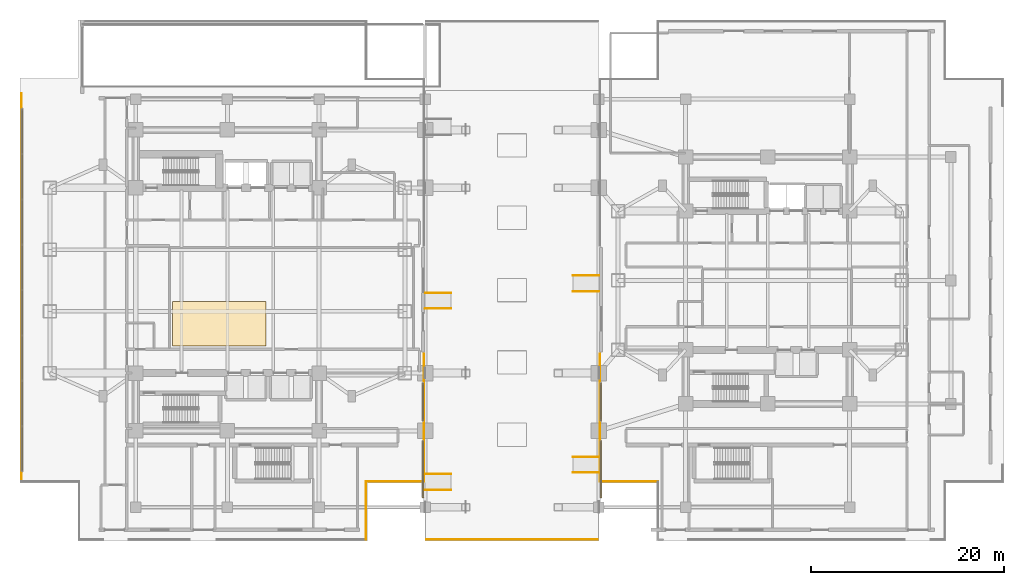
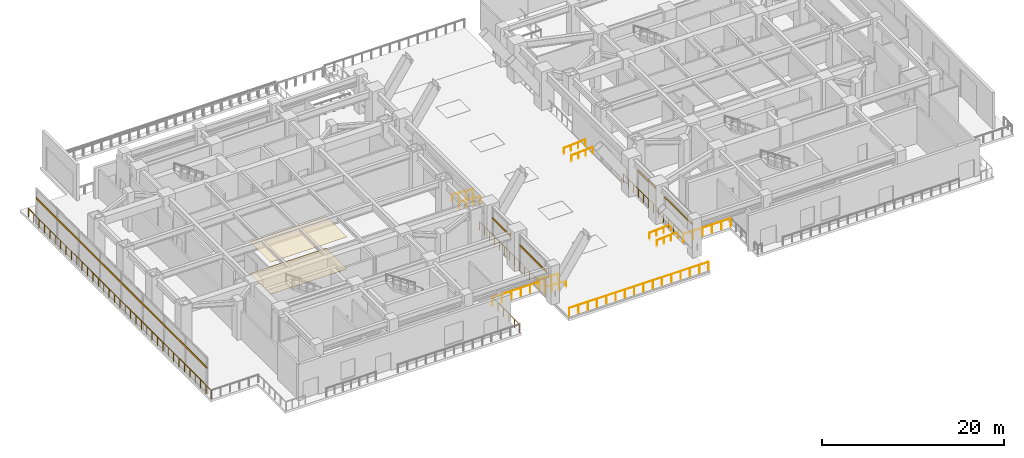
# One storey, part 19 of 27: 15 railings, 5 shading devices, 2 coverings.
"""IFC4 building model written with IfcOpenShell, lengths in metres."""

from ifc_helpers import new_model, si_unit, direction, frame, origin, origin_2d, place, context, subcontext, project, spatial, polyline, rectangle, circle, outline, extrude, material, layer, layer_set, material_profile, profile_set, type_object, element, save


model = new_model("IFC4")

# Units and contexts
model_context = context("Model", 3, precision=1e-05, world=origin(), true_north=direction((0.0, 1.0)))
body_context = subcontext(model_context, "Body", "Model", "MODEL_VIEW")
ifc_project = project(units=[si_unit("LENGTHUNIT", "METRE"), si_unit("AREAUNIT", "SQUARE_METRE"), si_unit("VOLUMEUNIT", "CUBIC_METRE"), si_unit("PLANEANGLEUNIT", "RADIAN"), si_unit("MASSUNIT", "GRAM", prefix="KILO")], contexts=[model_context])

# Site, building, storey
site_placement = place(None, origin())
site = spatial("IfcSite", under=ifc_project, at=site_placement, CompositionType="ELEMENT")
building_placement = place(site_placement, origin())
building = spatial("IfcBuilding", under=site, at=building_placement, Name="Mirazonda Arch Towers", CompositionType="ELEMENT")
storey_placement = place(building_placement, origin())
storey = spatial("IfcBuildingStorey", under=building, at=storey_placement, Name="L00", CompositionType="ELEMENT", Elevation=0.0)

# Shading devices
ifc_material_1 = material(Name="Kiln-Fired Architectural Terracotta", Category="masonry")
ifc_material_profile = material_profile(ifc_material_1, rectangle(XDim=0.1201171875, YDim=0.239990234375, at=origin_2d()), Name="TERRA-BAG-120x240")
ifc_profile_set = profile_set([ifc_material_profile], Name="Kiln-Fired Architectural Terracotta")
shading_device_type = type_object("IfcShadingDeviceType", Name="BAGUETTE-1", PredefinedType="USERDEFINED", material=ifc_profile_set)
shading_device_1_placement = place(storey_placement, frame((-0.780029296875, 8.199951171875, 3.499267578125), z_axis=(0.0, 1.0, 0.0), x_axis=(-1.0, 0.0, 0.0)))
element("IfcShadingDevice", 1, at=shading_device_1_placement, inside=storey, type_object=shading_device_type, Name="L00 Glazed Terracotta Sun-Screen Baguette CW-L00-WW1", ObjectType="BAGUETTE", PredefinedType="USERDEFINED", context=body_context, shape_type="SweptSolid", body=[
    extrude(rectangle(XDim=0.1201171875, YDim=0.239990234375, at=origin_2d()), origin(), (0.0, 0.0, 1.0), 37.60009765625),
])
shading_device_2_placement = place(storey_placement, frame((40.780029296875, 17.360107421875, 3.499267578125), z_axis=(0.0, -1.0, 0.0), x_axis=(1.0, 0.0, 0.0)))
element("IfcShadingDevice", 2, at=shading_device_2_placement, inside=storey, type_object=shading_device_type, Name="L00 Glazed Terracotta Sun-Screen Baguette CW-L00-ARCH-WS-S1", ObjectType="BAGUETTE", PredefinedType="USERDEFINED", context=body_context, shape_type="SweptSolid", body=[
    extrude(rectangle(XDim=0.1201171875, YDim=0.239990234375, at=origin_2d()), origin(), (0.0, 0.0, 1.0), 3.920166015625),
])
for number, where, z_axis, x_axis, name in (
    (3, (40.780029296875, 11.360107421875, 3.499267578125), (0.0, -1.0, 0.0), (1.0, 0.0, 0.0), "L00 Glazed Terracotta Sun-Screen Baguette CW-L00-ARCH-WS-S2"),
    (4, (59.219970703125, 5.5, 3.499267578125), (0.0, 1.0, 0.0), (-1.0, 0.0, 0.0), "L00 Glazed Terracotta Sun-Screen Baguette CW-L00-ARCH-ES-S1"),
):
    element("IfcShadingDevice", number, at=place(storey_placement, frame(where, z_axis=z_axis, x_axis=x_axis)), inside=storey, type_object=shading_device_type, Name=name, ObjectType="BAGUETTE", PredefinedType="USERDEFINED", context=body_context, shape_type="SweptSolid", body=[
        extrude(rectangle(XDim=0.1201171875, YDim=0.239990234375, at=origin_2d()), origin(), (0.0, 0.0, 1.0), 5.860107421875),
    ])
shading_device_3_placement = place(storey_placement, frame((59.219970703125, 13.43994140625, 3.499267578125), z_axis=(0.0, 1.0, 0.0), x_axis=(-1.0, 0.0, 0.0)))
element("IfcShadingDevice", 5, at=shading_device_3_placement, inside=storey, type_object=shading_device_type, Name="L00 Glazed Terracotta Sun-Screen Baguette CW-L00-ARCH-ES-S2", ObjectType="BAGUETTE", PredefinedType="USERDEFINED", context=body_context, shape_type="SweptSolid", body=[
    extrude(rectangle(XDim=0.1201171875, YDim=0.239990234375, at=origin_2d()), origin(), (0.0, 0.0, 1.0), 3.920166015625),
])

# Coverings
ifc_material_2 = material(Name="Acoustic Mineral Fibre Ceiling")
ifc_layer_1 = layer(ifc_material_2, 0.02490234375, Name="COV-CEIL-ACOUSTIC")
ifc_layer_set_1 = layer_set([ifc_layer_1], Name="Acoustic Mineral Fibre Ceiling")
covering_type_1 = type_object("IfcCoveringType", Name="COV-CEIL-ACOUSTIC", PredefinedType="CEILING", material=ifc_layer_set_1)
covering_1_placement = place(storey_placement, frame((0.0, 0.0, 4.304931640625)))
element("IfcCovering", 6, at=covering_1_placement, inside=storey, type_object=covering_type_1, Name="L00 Suspended Acoustic Ceiling", PredefinedType="CEILING", context=body_context, shape_type="SweptSolid", body=[
    extrude(outline(polyline([(14.800048828125, 21.199951171875), (24.5, 21.199951171875), (24.5, 25.800048828125), (14.800048828125, 25.800048828125), (14.800048828125, 21.199951171875)])), origin(), (0.0, 0.0, 1.0), 0.025146484375),
])
ifc_material_3 = material(Name="Polished Terrazzo Stone Finish", Category="masonry")
ifc_layer_2 = layer(ifc_material_3, 0.030029296875, Name="COV-FLOOR-STONE")
ifc_layer_set_2 = layer_set([ifc_layer_2], Name="Polished Terrazzo Stone Finish")
covering_type_2 = type_object("IfcCoveringType", Name="COV-FLOOR-STONE", PredefinedType="FLOORING", material=ifc_layer_set_2)
covering_2_placement = place(storey_placement, origin())
element("IfcCovering", 7, at=covering_2_placement, inside=storey, type_object=covering_type_2, Name="L00 Polished Terrazzo Lobby Flooring", PredefinedType="FLOORING", context=body_context, shape_type="SweptSolid", body=[
    extrude(outline(polyline([(14.800048828125, 21.199951171875), (24.5, 21.199951171875), (24.5, 25.800048828125), (14.800048828125, 25.800048828125), (14.800048828125, 21.199951171875)])), origin(), (0.0, 0.0, 1.0), 0.030029296875),
])

# Railings
ifc_material_4 = material(Name="Architectural Brushed Steel S355", Category="steel")
railing_type_1 = type_object("IfcRailingType", Name="GUARD-EXT-1150", PredefinedType="GUARDRAIL", material=ifc_material_4)
railing_1_placement = place(storey_placement, frame((34.860107421875, 1.139892578125, 0.0)))
element("IfcRailing", 8, at=railing_1_placement, inside=storey, type_object=railing_type_1, Name="L00 L00 Podium Edge Guard 3 02", PredefinedType="GUARDRAIL", context=body_context, shape_type="SweptSolid", body=[
    extrude(circle(Radius=0.02392578125, at=origin_2d()), frame((0.0, 0.0, 1.1259765625), z_axis=(0.0, 1.0, 0.0), x_axis=(-1.0, 0.0, 0.0)), (0.0, 0.0, 1.0), 6.0),
    extrude(circle(Radius=0.02099609375, at=origin_2d()), origin(), (0.0, 0.0, 1.0), 1.101806640625),
    extrude(circle(Radius=0.02099609375, at=origin_2d()), frame((0.0, 1.199951171875, 0.0)), (0.0, 0.0, 1.0), 1.101806640625),
    extrude(circle(Radius=0.02099609375, at=origin_2d()), frame((0.0, 2.39990234375, 0.0)), (0.0, 0.0, 1.0), 1.101806640625),
    extrude(circle(Radius=0.02099609375, at=origin_2d()), frame((0.0, 3.60009765625, 0.0)), (0.0, 0.0, 1.0), 1.101806640625),
    extrude(circle(Radius=0.02099609375, at=origin_2d()), frame((0.0, 4.800048828125, 0.0)), (0.0, 0.0, 1.0), 1.101806640625),
    extrude(circle(Radius=0.02099609375, at=origin_2d()), frame((0.0, 6.0, 0.0)), (0.0, 0.0, 1.0), 1.101806640625),
])
railing_2_placement = place(storey_placement, frame((34.860107421875, 7.139892578125, 0.0)))
element("IfcRailing", 9, at=railing_2_placement, inside=storey, type_object=railing_type_1, Name="L00 L00 Podium Edge Guard 3 03", PredefinedType="GUARDRAIL", context=body_context, shape_type="SweptSolid", body=[
    extrude(circle(Radius=0.02392578125, at=origin_2d()), frame((0.0, 0.0, 1.1259765625), z_axis=(1.0, 0.0, 0.0), x_axis=(0.0, 1.0, 0.0)), (0.0, 0.0, 1.0), 6.0),
    extrude(circle(Radius=0.02099609375, at=origin_2d()), origin(), (0.0, 0.0, 1.0), 1.101806640625),
    extrude(circle(Radius=0.02099609375, at=origin_2d()), frame((1.199951171875, 0.0, 0.0)), (0.0, 0.0, 1.0), 1.101806640625),
    extrude(circle(Radius=0.02099609375, at=origin_2d()), frame((2.39990234375, 0.0, 0.0)), (0.0, 0.0, 1.0), 1.101806640625),
    extrude(circle(Radius=0.02099609375, at=origin_2d()), frame((3.60009765625, 0.0, 0.0)), (0.0, 0.0, 1.0), 1.101806640625),
    extrude(circle(Radius=0.02099609375, at=origin_2d()), frame((4.800048828125, 0.0, 0.0)), (0.0, 0.0, 1.0), 1.101806640625),
    extrude(circle(Radius=0.02099609375, at=origin_2d()), frame((6.0, 0.0, 0.0)), (0.0, 0.0, 1.0), 1.101806640625),
])
railing_3_placement = place(storey_placement, frame((40.860107421875, 7.139892578125, 0.0)))
element("IfcRailing", 10, at=railing_3_placement, inside=storey, type_object=railing_type_1, Name="L00 L00 Podium Edge Guard 3 04", PredefinedType="GUARDRAIL", context=body_context, shape_type="SweptSolid", body=[
    extrude(circle(Radius=0.02392578125, at=origin_2d()), frame((0.0, 0.0, 1.1259765625), z_axis=(0.0, 1.0, 0.0), x_axis=(-1.0, 0.0, 0.0)), (0.0, 0.0, 1.0), 13.260009765625),
    extrude(circle(Radius=0.02099609375, at=origin_2d()), origin(), (0.0, 0.0, 1.0), 1.101806640625),
    extrude(circle(Radius=0.02099609375, at=origin_2d()), frame((0.0, 1.10498046875, 0.0)), (0.0, 0.0, 1.0), 1.101806640625),
    extrude(circle(Radius=0.02099609375, at=origin_2d()), frame((0.0, 2.2099609375, 0.0)), (0.0, 0.0, 1.0), 1.101806640625),
    extrude(circle(Radius=0.02099609375, at=origin_2d()), frame((0.0, 3.31494140625, 0.0)), (0.0, 0.0, 1.0), 1.101806640625),
    extrude(circle(Radius=0.02099609375, at=origin_2d()), frame((0.0, 4.419921875, 0.0)), (0.0, 0.0, 1.0), 1.101806640625),
    extrude(circle(Radius=0.02099609375, at=origin_2d()), frame((0.0, 5.52490234375, 0.0)), (0.0, 0.0, 1.0), 1.101806640625),
    extrude(circle(Radius=0.02099609375, at=origin_2d()), frame((0.0, 6.6298828125, 0.0)), (0.0, 0.0, 1.0), 1.101806640625),
    extrude(circle(Radius=0.02099609375, at=origin_2d()), frame((0.0, 7.735107421875, 0.0)), (0.0, 0.0, 1.0), 1.101806640625),
    extrude(circle(Radius=0.02099609375, at=origin_2d()), frame((0.0, 8.840087890625, 0.0)), (0.0, 0.0, 1.0), 1.101806640625),
    extrude(circle(Radius=0.02099609375, at=origin_2d()), frame((0.0, 9.945068359375, 0.0)), (0.0, 0.0, 1.0), 1.101806640625),
    extrude(circle(Radius=0.02099609375, at=origin_2d()), frame((0.0, 11.050048828125, 0.0)), (0.0, 0.0, 1.0), 1.101806640625),
    extrude(circle(Radius=0.02099609375, at=origin_2d()), frame((0.0, 12.155029296875, 0.0)), (0.0, 0.0, 1.0), 1.101806640625),
    extrude(circle(Radius=0.02099609375, at=origin_2d()), frame((0.0, 13.260009765625, 0.0)), (0.0, 0.0, 1.0), 1.101806640625),
])
railing_4_placement = place(storey_placement, frame((-0.860107421875, 7.139892578125, 0.0)))
element("IfcRailing", 11, at=railing_4_placement, inside=storey, type_object=railing_type_1, Name="L00 L00 Podium Edge Guard 5 03", PredefinedType="GUARDRAIL", context=body_context, shape_type="SweptSolid", body=[
    extrude(circle(Radius=0.02392578125, at=origin_2d()), frame((0.0, 0.0, 1.1259765625), z_axis=(0.0, 1.0, 0.0), x_axis=(-1.0, 0.0, 0.0)), (0.0, 0.0, 1.0), 40.260009765625),
    extrude(circle(Radius=0.02099609375, at=origin_2d()), origin(), (0.0, 0.0, 1.0), 1.101806640625),
    extrude(circle(Radius=0.02099609375, at=origin_2d()), frame((0.0, 1.18408203125, 0.0)), (0.0, 0.0, 1.0), 1.101806640625),
    extrude(circle(Radius=0.02099609375, at=origin_2d()), frame((0.0, 2.3681640625, 0.0)), (0.0, 0.0, 1.0), 1.101806640625),
    extrude(circle(Radius=0.02099609375, at=origin_2d()), frame((0.0, 3.55224609375, 0.0)), (0.0, 0.0, 1.0), 1.101806640625),
    extrude(circle(Radius=0.02099609375, at=origin_2d()), frame((0.0, 4.736572265625, 0.0)), (0.0, 0.0, 1.0), 1.101806640625),
    extrude(circle(Radius=0.02099609375, at=origin_2d()), frame((0.0, 5.920654296875, 0.0)), (0.0, 0.0, 1.0), 1.101806640625),
    extrude(circle(Radius=0.02099609375, at=origin_2d()), frame((0.0, 7.104736328125, 0.0)), (0.0, 0.0, 1.0), 1.101806640625),
    extrude(circle(Radius=0.02099609375, at=origin_2d()), frame((0.0, 8.288818359375, 0.0)), (0.0, 0.0, 1.0), 1.101806640625),
    extrude(circle(Radius=0.02099609375, at=origin_2d()), frame((0.0, 9.472900390625, 0.0)), (0.0, 0.0, 1.0), 1.101806640625),
    extrude(circle(Radius=0.02099609375, at=origin_2d()), frame((0.0, 10.656982421875, 0.0)), (0.0, 0.0, 1.0), 1.101806640625),
    extrude(circle(Radius=0.02099609375, at=origin_2d()), frame((0.0, 11.841064453125, 0.0)), (0.0, 0.0, 1.0), 1.101806640625),
    extrude(circle(Radius=0.02099609375, at=origin_2d()), frame((0.0, 13.025390625, 0.0)), (0.0, 0.0, 1.0), 1.101806640625),
    extrude(circle(Radius=0.02099609375, at=origin_2d()), frame((0.0, 14.20947265625, 0.0)), (0.0, 0.0, 1.0), 1.101806640625),
    extrude(circle(Radius=0.02099609375, at=origin_2d()), frame((0.0, 15.3935546875, 0.0)), (0.0, 0.0, 1.0), 1.101806640625),
    extrude(circle(Radius=0.02099609375, at=origin_2d()), frame((0.0, 16.57763671875, 0.0)), (0.0, 0.0, 1.0), 1.101806640625),
    extrude(circle(Radius=0.02099609375, at=origin_2d()), frame((0.0, 17.76171875, 0.0)), (0.0, 0.0, 1.0), 1.101806640625),
    extrude(circle(Radius=0.02099609375, at=origin_2d()), frame((0.0, 18.94580078125, 0.0)), (0.0, 0.0, 1.0), 1.101806640625),
    extrude(circle(Radius=0.02099609375, at=origin_2d()), frame((0.0, 20.1298828125, 0.0)), (0.0, 0.0, 1.0), 1.101806640625),
    extrude(circle(Radius=0.02099609375, at=origin_2d()), frame((0.0, 21.314208984375, 0.0)), (0.0, 0.0, 1.0), 1.101806640625),
    extrude(circle(Radius=0.02099609375, at=origin_2d()), frame((0.0, 22.498291015625, 0.0)), (0.0, 0.0, 1.0), 1.101806640625),
    extrude(circle(Radius=0.02099609375, at=origin_2d()), frame((0.0, 23.682373046875, 0.0)), (0.0, 0.0, 1.0), 1.101806640625),
    extrude(circle(Radius=0.02099609375, at=origin_2d()), frame((0.0, 24.866455078125, 0.0)), (0.0, 0.0, 1.0), 1.101806640625),
    extrude(circle(Radius=0.02099609375, at=origin_2d()), frame((0.0, 26.050537109375, 0.0)), (0.0, 0.0, 1.0), 1.101806640625),
    extrude(circle(Radius=0.02099609375, at=origin_2d()), frame((0.0, 27.234619140625, 0.0)), (0.0, 0.0, 1.0), 1.101806640625),
    extrude(circle(Radius=0.02099609375, at=origin_2d()), frame((0.0, 28.4189453125, 0.0)), (0.0, 0.0, 1.0), 1.101806640625),
    extrude(circle(Radius=0.02099609375, at=origin_2d()), frame((0.0, 29.60302734375, 0.0)), (0.0, 0.0, 1.0), 1.101806640625),
    extrude(circle(Radius=0.02099609375, at=origin_2d()), frame((0.0, 30.787109375, 0.0)), (0.0, 0.0, 1.0), 1.101806640625),
    extrude(circle(Radius=0.02099609375, at=origin_2d()), frame((0.0, 31.97119140625, 0.0)), (0.0, 0.0, 1.0), 1.101806640625),
    extrude(circle(Radius=0.02099609375, at=origin_2d()), frame((0.0, 33.1552734375, 0.0)), (0.0, 0.0, 1.0), 1.101806640625),
    extrude(circle(Radius=0.02099609375, at=origin_2d()), frame((0.0, 34.33935546875, 0.0)), (0.0, 0.0, 1.0), 1.101806640625),
    extrude(circle(Radius=0.02099609375, at=origin_2d()), frame((0.0, 35.5234375, 0.0)), (0.0, 0.0, 1.0), 1.101806640625),
    extrude(circle(Radius=0.02099609375, at=origin_2d()), frame((0.0, 36.707763671875, 0.0)), (0.0, 0.0, 1.0), 1.101806640625),
    extrude(circle(Radius=0.02099609375, at=origin_2d()), frame((0.0, 37.891845703125, 0.0)), (0.0, 0.0, 1.0), 1.101806640625),
    extrude(circle(Radius=0.02099609375, at=origin_2d()), frame((0.0, 39.075927734375, 0.0)), (0.0, 0.0, 1.0), 1.101806640625),
    extrude(circle(Radius=0.02099609375, at=origin_2d()), frame((0.0, 40.260009765625, 0.0)), (0.0, 0.0, 1.0), 1.101806640625),
])
railing_5_placement = place(storey_placement, frame((59.139892578125, 20.39990234375, 0.0)))
element("IfcRailing", 12, at=railing_5_placement, inside=storey, type_object=railing_type_1, Name="L00 L00 Podium Edge Guard 6 01", PredefinedType="GUARDRAIL", context=body_context, shape_type="SweptSolid", body=[
    extrude(circle(Radius=0.02392578125, at=origin_2d()), frame((0.0, 0.0, 1.1259765625), z_axis=(0.0, -1.0, 0.0), x_axis=(1.0, 0.0, 0.0)), (0.0, 0.0, 1.0), 13.260009765625),
    extrude(circle(Radius=0.02099609375, at=origin_2d()), origin(), (0.0, 0.0, 1.0), 1.101806640625),
    extrude(circle(Radius=0.02099609375, at=origin_2d()), frame((0.0, -1.10498046875, 0.0)), (0.0, 0.0, 1.0), 1.101806640625),
    extrude(circle(Radius=0.02099609375, at=origin_2d()), frame((0.0, -2.2099609375, 0.0)), (0.0, 0.0, 1.0), 1.101806640625),
    extrude(circle(Radius=0.02099609375, at=origin_2d()), frame((0.0, -3.31494140625, 0.0)), (0.0, 0.0, 1.0), 1.101806640625),
    extrude(circle(Radius=0.02099609375, at=origin_2d()), frame((0.0, -4.419921875, 0.0)), (0.0, 0.0, 1.0), 1.101806640625),
    extrude(circle(Radius=0.02099609375, at=origin_2d()), frame((0.0, -5.52490234375, 0.0)), (0.0, 0.0, 1.0), 1.101806640625),
    extrude(circle(Radius=0.02099609375, at=origin_2d()), frame((0.0, -6.6298828125, 0.0)), (0.0, 0.0, 1.0), 1.101806640625),
    extrude(circle(Radius=0.02099609375, at=origin_2d()), frame((0.0, -7.735107421875, 0.0)), (0.0, 0.0, 1.0), 1.101806640625),
    extrude(circle(Radius=0.02099609375, at=origin_2d()), frame((0.0, -8.840087890625, 0.0)), (0.0, 0.0, 1.0), 1.101806640625),
    extrude(circle(Radius=0.02099609375, at=origin_2d()), frame((0.0, -9.945068359375, 0.0)), (0.0, 0.0, 1.0), 1.101806640625),
    extrude(circle(Radius=0.02099609375, at=origin_2d()), frame((0.0, -11.050048828125, 0.0)), (0.0, 0.0, 1.0), 1.101806640625),
    extrude(circle(Radius=0.02099609375, at=origin_2d()), frame((0.0, -12.155029296875, 0.0)), (0.0, 0.0, 1.0), 1.101806640625),
    extrude(circle(Radius=0.02099609375, at=origin_2d()), frame((0.0, -13.260009765625, 0.0)), (0.0, 0.0, 1.0), 1.101806640625),
])
railing_6_placement = place(storey_placement, frame((59.139892578125, 7.139892578125, 0.0)))
element("IfcRailing", 13, at=railing_6_placement, inside=storey, type_object=railing_type_1, Name="L00 L00 Podium Edge Guard 6 02", PredefinedType="GUARDRAIL", context=body_context, shape_type="SweptSolid", body=[
    extrude(circle(Radius=0.02392578125, at=origin_2d()), frame((0.0, 0.0, 1.1259765625), z_axis=(1.0, 0.0, 0.0), x_axis=(0.0, 1.0, 0.0)), (0.0, 0.0, 1.0), 6.0),
    extrude(circle(Radius=0.02099609375, at=origin_2d()), origin(), (0.0, 0.0, 1.0), 1.101806640625),
    extrude(circle(Radius=0.02099609375, at=origin_2d()), frame((1.199951171875, 0.0, 0.0)), (0.0, 0.0, 1.0), 1.101806640625),
    extrude(circle(Radius=0.02099609375, at=origin_2d()), frame((2.39990234375, 0.0, 0.0)), (0.0, 0.0, 1.0), 1.101806640625),
    extrude(circle(Radius=0.02099609375, at=origin_2d()), frame((3.60009765625, 0.0, 0.0)), (0.0, 0.0, 1.0), 1.101806640625),
    extrude(circle(Radius=0.02099609375, at=origin_2d()), frame((4.800048828125, 0.0, 0.0)), (0.0, 0.0, 1.0), 1.101806640625),
    extrude(circle(Radius=0.02099609375, at=origin_2d()), frame((6.0, 0.0, 0.0)), (0.0, 0.0, 1.0), 1.101806640625),
])
railing_7_placement = place(storey_placement, frame((41.14990234375, 1.139892578125, 0.0)))
element("IfcRailing", 14, at=railing_7_placement, inside=storey, type_object=railing_type_1, Name="L00 L00 Podium Edge Guard 12 01", PredefinedType="GUARDRAIL", context=body_context, shape_type="SweptSolid", body=[
    extrude(circle(Radius=0.02392578125, at=origin_2d()), frame((0.0, 0.0, 1.1259765625), z_axis=(1.0, 0.0, 0.0), x_axis=(0.0, 1.0, 0.0)), (0.0, 0.0, 1.0), 17.7001953125),
    extrude(circle(Radius=0.02099609375, at=origin_2d()), origin(), (0.0, 0.0, 1.0), 1.101806640625),
    extrude(circle(Radius=0.02099609375, at=origin_2d()), frame((1.179931640625, 0.0, 0.0)), (0.0, 0.0, 1.0), 1.101806640625),
    extrude(circle(Radius=0.02099609375, at=origin_2d()), frame((2.360107421875, 0.0, 0.0)), (0.0, 0.0, 1.0), 1.101806640625),
    extrude(circle(Radius=0.02099609375, at=origin_2d()), frame((3.5400390625, 0.0, 0.0)), (0.0, 0.0, 1.0), 1.101806640625),
    extrude(circle(Radius=0.02099609375, at=origin_2d()), frame((4.719970703125, 0.0, 0.0)), (0.0, 0.0, 1.0), 1.101806640625),
    extrude(circle(Radius=0.02099609375, at=origin_2d()), frame((5.900146484375, 0.0, 0.0)), (0.0, 0.0, 1.0), 1.101806640625),
    extrude(circle(Radius=0.02099609375, at=origin_2d()), frame((7.080078125, 0.0, 0.0)), (0.0, 0.0, 1.0), 1.101806640625),
    extrude(circle(Radius=0.02099609375, at=origin_2d()), frame((8.260009765625, 0.0, 0.0)), (0.0, 0.0, 1.0), 1.101806640625),
    extrude(circle(Radius=0.02099609375, at=origin_2d()), frame((9.440185546875, 0.0, 0.0)), (0.0, 0.0, 1.0), 1.101806640625),
    extrude(circle(Radius=0.02099609375, at=origin_2d()), frame((10.6201171875, 0.0, 0.0)), (0.0, 0.0, 1.0), 1.101806640625),
    extrude(circle(Radius=0.02099609375, at=origin_2d()), frame((11.800048828125, 0.0, 0.0)), (0.0, 0.0, 1.0), 1.101806640625),
    extrude(circle(Radius=0.02099609375, at=origin_2d()), frame((12.980224609375, 0.0, 0.0)), (0.0, 0.0, 1.0), 1.101806640625),
    extrude(circle(Radius=0.02099609375, at=origin_2d()), frame((14.16015625, 0.0, 0.0)), (0.0, 0.0, 1.0), 1.101806640625),
    extrude(circle(Radius=0.02099609375, at=origin_2d()), frame((15.340087890625, 0.0, 0.0)), (0.0, 0.0, 1.0), 1.101806640625),
    extrude(circle(Radius=0.02099609375, at=origin_2d()), frame((16.520263671875, 0.0, 0.0)), (0.0, 0.0, 1.0), 1.101806640625),
    extrude(circle(Radius=0.02099609375, at=origin_2d()), frame((17.7001953125, 0.0, 0.0)), (0.0, 0.0, 1.0), 1.101806640625),
])
railing_type_2 = type_object("IfcRailingType", Name="HANDRAIL-RAMP-915", PredefinedType="HANDRAIL", material=ifc_material_4)
for number, where, name in (
    (15, (43.699951171875, 6.280029296875, -0.179931640625), "Accessible Ramp Handrail PED-W1-L"),
    (16, (43.699951171875, 7.919921875, -0.179931640625), "Accessible Ramp Handrail PED-W1-R"),
    (17, (43.699951171875, 25.080078125, -0.179931640625), "Accessible Ramp Handrail PED-W2-L"),
    (18, (43.699951171875, 26.719970703125, -0.179931640625), "Accessible Ramp Handrail PED-W2-R"),
):
    element("IfcRailing", number, at=place(storey_placement, frame(where)), inside=storey, type_object=railing_type_2, Name=name, PredefinedType="HANDRAIL", context=body_context, shape_type="SweptSolid", body=[
        extrude(circle(Radius=0.02392578125, at=origin_2d()), frame((0.0, 0.0, 0.89111328125), z_axis=(-0.997786754453, 0.0, 0.066495057241), x_axis=(0.0, -1.0, 0.0)), (0.0, 0.0, 1.0), 2.7060546875),
        extrude(circle(Radius=0.02099609375, at=origin_2d()), origin(), (0.0, 0.0, 1.0), 0.866943359375),
        extrude(circle(Radius=0.02099609375, at=origin_2d()), frame((-0.89990234375, 0.0, 0.06005859375)), (0.0, 0.0, 1.0), 0.866943359375),
        extrude(circle(Radius=0.02099609375, at=origin_2d()), frame((-1.800048828125, 0.0, 0.119873046875)), (0.0, 0.0, 1.0), 0.866943359375),
        extrude(circle(Radius=0.02099609375, at=origin_2d()), frame((-2.699951171875, 0.0, 0.179931640625)), (0.0, 0.0, 1.0), 0.866943359375),
    ])
for number, where, name in (
    (19, (56.300048828125, 8.080078125, -0.179931640625), "Accessible Ramp Handrail PED-E1-L"),
    (20, (56.300048828125, 9.719970703125, -0.179931640625), "Accessible Ramp Handrail PED-E1-R"),
    (21, (56.300048828125, 26.8798828125, -0.179931640625), "Accessible Ramp Handrail PED-E2-L"),
    (22, (56.300048828125, 28.52001953125, -0.179931640625), "Accessible Ramp Handrail PED-E2-R"),
):
    element("IfcRailing", number, at=place(storey_placement, frame(where)), inside=storey, type_object=railing_type_2, Name=name, PredefinedType="HANDRAIL", context=body_context, shape_type="SweptSolid", body=[
        extrude(circle(Radius=0.02392578125, at=origin_2d()), frame((0.0, 0.0, 0.89111328125), z_axis=(0.997786754453, 0.0, 0.066495057241), x_axis=(0.0, 1.0, 0.0)), (0.0, 0.0, 1.0), 2.7060546875),
        extrude(circle(Radius=0.02099609375, at=origin_2d()), origin(), (0.0, 0.0, 1.0), 0.866943359375),
        extrude(circle(Radius=0.02099609375, at=origin_2d()), frame((0.89990234375, 0.0, 0.06005859375)), (0.0, 0.0, 1.0), 0.866943359375),
        extrude(circle(Radius=0.02099609375, at=origin_2d()), frame((1.800048828125, 0.0, 0.119873046875)), (0.0, 0.0, 1.0), 0.866943359375),
        extrude(circle(Radius=0.02099609375, at=origin_2d()), frame((2.699951171875, 0.0, 0.179931640625)), (0.0, 0.0, 1.0), 0.866943359375),
    ])

save(model, "model.ifc")
